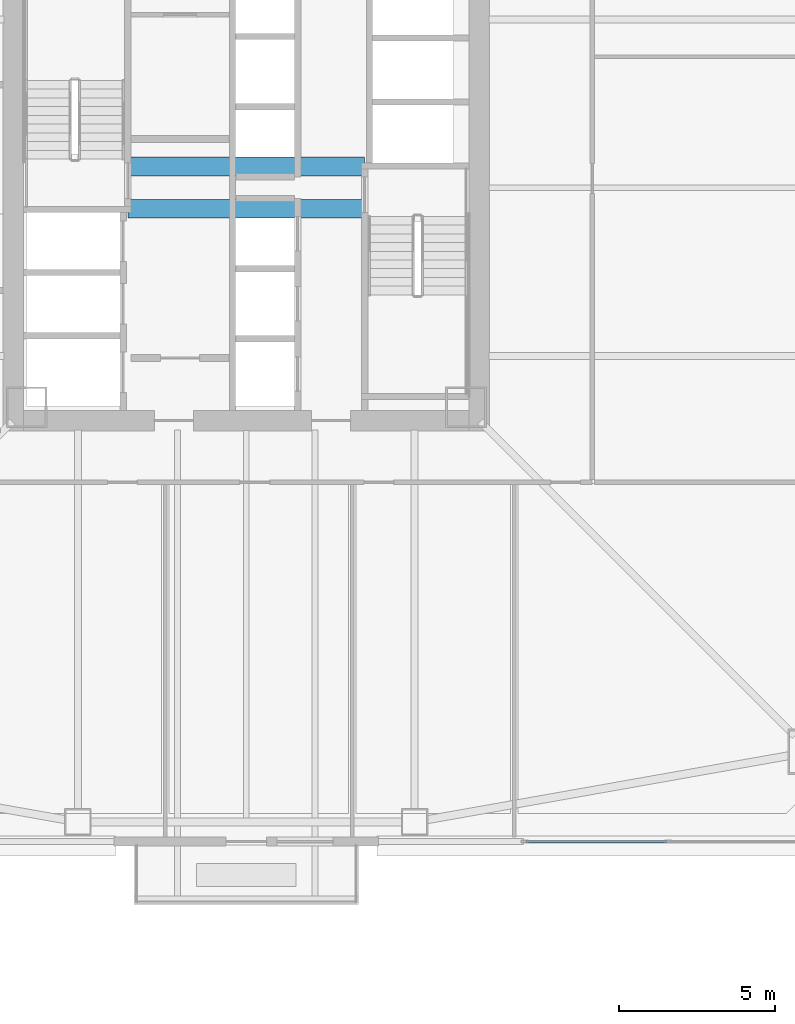
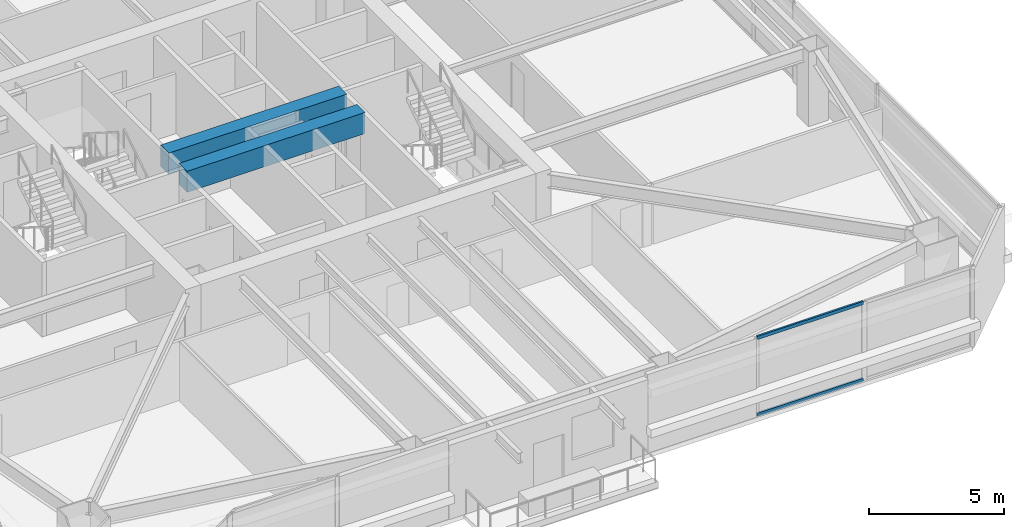
# One storey, part 7 of 44: 2 beams, 2 members, 1 element without a shape of its own.
"""IFC4 building model written with IfcOpenShell, lengths in metres."""

from ifc_helpers import new_model, si_unit, direction, frame, origin, origin_2d, place, context, subcontext, project, spatial, rectangle, hollow_rectangle, extrude, material, material_profile, profile_set, type_object, element, aggregate, save


model = new_model("IFC4")

# Units and contexts
model_context = context("Model", 3, precision=1e-05, world=origin(), true_north=direction((0.0, 1.0)))
body_context = subcontext(model_context, "Body", "Model", "MODEL_VIEW")
ifc_project = project(units=[si_unit("LENGTHUNIT", "METRE"), si_unit("AREAUNIT", "SQUARE_METRE"), si_unit("VOLUMEUNIT", "CUBIC_METRE"), si_unit("PLANEANGLEUNIT", "RADIAN"), si_unit("MASSUNIT", "GRAM", prefix="KILO")], contexts=[model_context])

# Site, building, storey
site_placement = place(None, origin())
site = spatial("IfcSite", under=ifc_project, at=site_placement, CompositionType="ELEMENT")
building_placement = place(site_placement, origin())
building = spatial("IfcBuilding", under=site, at=building_placement, Name="Tashvorn Skyway Center", CompositionType="ELEMENT")
storey_placement = place(building_placement, frame((0.0, 0.0, 92.050048828125)))
storey = spatial("IfcBuildingStorey", under=building, at=storey_placement, Name="L24", CompositionType="ELEMENT", Elevation=92.050048828125)

# Beams
ifc_material_1 = material(Name="Concrete C60/75", Category="concrete")
ifc_material_profile_1 = material_profile(ifc_material_1, rectangle(XDim=0.60009765625, YDim=0.949951171875, at=origin_2d()), Name="RCB600x950")
ifc_profile_set_1 = profile_set([ifc_material_profile_1], Name="Concrete C60/75")
beam_type = type_object("IfcBeamType", Name="BM-LINTEL-RCB600x950", PredefinedType="LINTEL", material=ifc_profile_set_1)
for number, where, z_axis, x_axis, name in (
    (1, (38.199951171875, 32.679931640625, 2.875), (1.0, 0.0, 0.0), (0.0, 1.0, 0.0), "Tower 1 L24 Core Coupling Beam CN"),
    (2, (38.199951171875, 31.320068359375, 2.875), (1.0, 0.0, 0.0), (0.0, 1.0, 0.0), "Tower 1 L24 Core Coupling Beam CS"),
):
    element("IfcBeam", number, at=place(storey_placement, frame(where, z_axis=z_axis, x_axis=x_axis)), inside=storey, type_object=beam_type, Name=name, PredefinedType="LINTEL", context=body_context, shape_type="SweptSolid", body=[
        extrude(rectangle(XDim=0.60009765625, YDim=0.949951171875, at=origin_2d()), origin(), (0.0, 0.0, 1.0), 7.60009765625),
    ])

# Curtain wall, members
ifc_material_2 = material(Name="Thermally broken bronze-anodized aluminium 6063-T6", Category="aluminium")
curtain_wall_type = type_object("IfcCurtainWallType", Name="CW-CW-Z2", PredefinedType="NOTDEFINED", material=ifc_material_2)
curtain_wall_placement = place(storey_placement, origin())
curtain_wall = element("IfcCurtainWall", 3, at=curtain_wall_placement, inside=storey, type_object=curtain_wall_type, Name="Tower 1 L24 South Curtain Wall L Glazing Group 1", PredefinedType="NOTDEFINED")
ifc_material_profile_2 = material_profile(ifc_material_2, hollow_rectangle(XDim=0.080078125, YDim=0.14990234375, WallThickness=0.00439453125, at=origin_2d()), Name="ALU-TRAN-80x150")
ifc_profile_set_2 = profile_set([ifc_material_profile_2], Name="Thermally broken bronze-anodized aluminium 6063-T6")
member_type = type_object("IfcMemberType", Name="CWT-CW-Z2", PredefinedType="USERDEFINED", material=ifc_profile_set_2)
member_1_placement = place(storey_placement, frame((55.49658203125, 11.02001953125, 0.0400390625), z_axis=(-1.0, 0.0, 0.0), x_axis=(0.0, -1.0, 0.0)))
member_1 = element("IfcMember", 4, at=member_1_placement, type_object=member_type, Name="CW-Z2 transom 2.1", ObjectType="TRANSOM", PredefinedType="USERDEFINED", context=body_context, shape_type="SweptSolid", body=[
    extrude(hollow_rectangle(XDim=0.080078125, YDim=0.14990234375, WallThickness=0.00439453125, at=origin_2d()), origin(), (0.0, 0.0, 1.0), 4.523193359375),
])
member_2_placement = place(storey_placement, frame((55.49658203125, 11.02001953125, 3.510009765625), z_axis=(-1.0, 0.0, 0.0), x_axis=(0.0, -1.0, 0.0)))
member_2 = element("IfcMember", 5, at=member_2_placement, type_object=member_type, Name="CW-Z2 transom 2.2", ObjectType="TRANSOM", PredefinedType="USERDEFINED", context=body_context, shape_type="SweptSolid", body=[
    extrude(hollow_rectangle(XDim=0.080078125, YDim=0.14990234375, WallThickness=0.00439453125, at=origin_2d()), origin(), (0.0, 0.0, 1.0), 4.523193359375),
])
aggregate(curtain_wall, [member_1, member_2])

save(model, "model.ifc")
